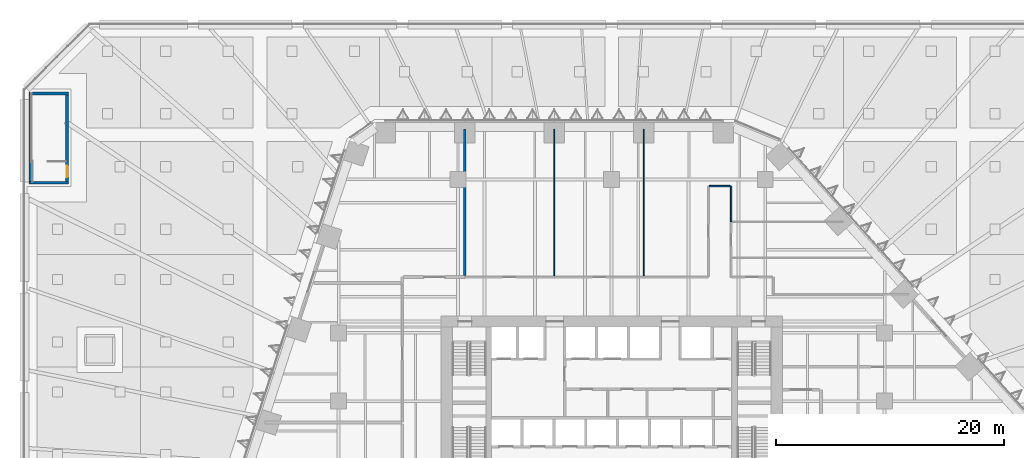
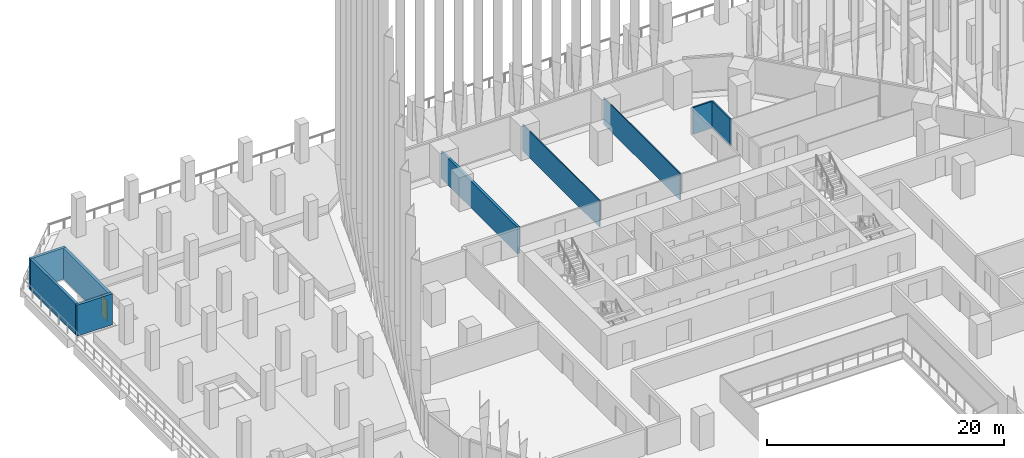
# One storey, part 28 of 51: 9 walls, 1 door, 1 opening.
"""IFC4 building model written with IfcOpenShell, lengths in metres."""

import ifcopenshell
import ifcopenshell.guid

model = None  # the IFC model being written
_history = None  # IfcOwnerHistory: only IFC2X3 demands one
_inside = {}  # id of a spatial element -> (the spatial element, [elements in it])
_under = {}  # id of a project, library or spatial element -> (it, [spatial elements below it])
_declared = {}  # id of a project -> (the project, [libraries it declares])
_typed = {}  # id of a type object -> (the type object, [elements of that type])
_made_of = {}  # id of a material, layer set ... -> (it, [elements and type objects made of it])


def new_model(schema):
    """Start an empty IFC model of exactly this schema.

    Asked for "IFC4X3", IfcOpenShell would pick the latest addendum, in which some entities
    have other attributes; the version numbers below select the first issue.
    IFC2X3 requires an IfcOwnerHistory on every rooted entity: one is made here for all.
    """
    global model, _history
    if schema == "IFC4X3":
        model = ifcopenshell.file(schema_version=(4, 3, 0, 0))
    else:
        model = ifcopenshell.file(schema=schema)
    _inside.clear()
    _under.clear()
    _declared.clear()
    _typed.clear()
    _made_of.clear()
    _history = None
    if model.schema == "IFC2X3":
        org = make("IfcOrganization", Name="unknown")
        user = make(
            "IfcPersonAndOrganization",
            ThePerson=make("IfcPerson", FamilyName="unknown"),
            TheOrganization=org,
        )
        app = make(
            "IfcApplication",
            ApplicationDeveloper=org,
            Version="unknown",
            ApplicationFullName="unknown",
            ApplicationIdentifier="unknown",
        )
        _history = make(
            "IfcOwnerHistory",
            OwningUser=user,
            OwningApplication=app,
            ChangeAction="ADDED",
            CreationDate=0,
        )
    return model


def make(cls, **values):
    """One entity of the class cls with the attributes given. An attribute that is None is left unset."""
    return model.create_entity(
        cls, **{name: value for name, value in values.items() if value is not None}
    )


def rooted(cls, **values):
    """An entity with a GlobalId (a new one), such as an element, a storey or a relation."""
    return make(cls, GlobalId=ifcopenshell.guid.new(), OwnerHistory=_history, **values)


def si_unit(unit_type, name, prefix=None):
    """IfcSIUnit, for example si_unit("LENGTHUNIT", "METRE", prefix="MILLI")."""
    return make("IfcSIUnit", UnitType=unit_type, Prefix=prefix, Name=name)


def assignment(units):
    """IfcUnitAssignment: the units of a project."""
    return None if units is None else make("IfcUnitAssignment", Units=units)


def point(xyz):
    """IfcCartesianPoint."""
    return None if xyz is None else make("IfcCartesianPoint", Coordinates=xyz)


def direction(xyz):
    """IfcDirection."""
    return None if xyz is None else make("IfcDirection", DirectionRatios=xyz)


def frame(location, z_axis=None, x_axis=None):
    """IfcAxis2Placement3D, a coordinate frame: its origin and axes. An axis left out is left unset."""
    return make(
        "IfcAxis2Placement3D",
        Location=point(location),
        Axis=direction(z_axis),
        RefDirection=direction(x_axis),
    )


def frame_2d(location, x_axis=None):
    """IfcAxis2Placement2D, a coordinate frame in the plane: its origin and x axis."""
    return make(
        "IfcAxis2Placement2D", Location=point(location), RefDirection=direction(x_axis)
    )


def origin():
    """The frame at (0, 0, 0) with its axes left unset."""
    return frame((0.0, 0.0, 0.0))


def place(relative_to, where):
    """IfcLocalPlacement: puts the frame where relative to a parent placement (None: the world)."""
    return make(
        "IfcLocalPlacement", PlacementRelTo=relative_to, RelativePlacement=where
    )


def context(
    kind, dimensions, precision=None, world=None, true_north=None, identifier=None
):
    """IfcGeometricRepresentationContext, for example the 3D "Model" context."""
    return make(
        "IfcGeometricRepresentationContext",
        ContextIdentifier=identifier,
        ContextType=kind,
        CoordinateSpaceDimension=dimensions,
        Precision=precision,
        WorldCoordinateSystem=world,
        TrueNorth=true_north,
    )


def subcontext(parent, identifier, kind, view, scale=None):
    """IfcGeometricRepresentationSubContext, for example "Body" below "Model"."""
    return make(
        "IfcGeometricRepresentationSubContext",
        ContextIdentifier=identifier,
        ContextType=kind,
        ParentContext=parent,
        TargetScale=scale,
        TargetView=view,
    )


def project(units=None, contexts=None):
    """IfcProject with its units and contexts."""
    return rooted(
        "IfcProject",
        Name="project",
        RepresentationContexts=contexts,
        UnitsInContext=assignment(units),
    )


def spatial(cls, under=None, at=None, **own):
    """A site, building, storey or space (cls), placed at a placement, below another one or the project."""
    s = rooted(cls, ObjectPlacement=at, **own)
    if under is not None:
        _under.setdefault(under.id(), (under, []))[1].append(s)
    return s


def profile(cls, at=None, kind="AREA", **sizes):
    """A parametric profile (cls). Its sizes go by their IFC names, for example OverallWidth=200.0."""
    return make(cls, ProfileType=kind, Position=at, **sizes)


def rectangle(**sizes):
    """IfcRectangleProfileDef."""
    return profile("IfcRectangleProfileDef", **sizes)


def extrude(swept, where, along, depth):
    """IfcExtrudedAreaSolid: the profile swept, set in the frame where, extruded along a direction by depth."""
    return make(
        "IfcExtrudedAreaSolid",
        SweptArea=swept,
        Position=where,
        ExtrudedDirection=direction(along),
        Depth=depth,
    )


def shape(context_of_items, identifier, shape_type, items):
    """IfcShapeRepresentation: the items that make up one representation, for example the "Body"."""
    return make(
        "IfcShapeRepresentation",
        ContextOfItems=context_of_items,
        RepresentationIdentifier=identifier,
        RepresentationType=shape_type,
        Items=items,
    )


def material(Name=None, Category=None):
    """IfcMaterial."""
    return make("IfcMaterial", Name=Name, Category=Category)


def layer(
    of_material, thickness, ventilated=None, Name=None, Category=None, Priority=None
):
    """IfcMaterialLayer: one layer of a wall or slab, of a material (None: an air gap)."""
    return make(
        "IfcMaterialLayer",
        Material=of_material,
        LayerThickness=thickness,
        IsVentilated=ventilated,
        Name=Name,
        Category=Category,
        Priority=Priority,
    )


def layer_set(layers, Name=None):
    """IfcMaterialLayerSet."""
    return make("IfcMaterialLayerSet", MaterialLayers=layers, LayerSetName=Name)


def made_of(thing, what):
    """Note that an element or type object is made of a material, layer set ...; save() writes the relation."""
    if what is not None:
        _made_of.setdefault(what.id(), (what, []))[1].append(thing)
    return thing


def type_object(cls, material=None, **own):
    """A type object (cls), such as IfcWallType, which elements share."""
    return made_of(rooted(cls, **own), material)


def element(
    cls,
    number,
    at=None,
    inside=None,
    cuts=None,
    type_object=None,
    material=None,
    context=None,
    identifier="Body",
    shape_type=None,
    held_by="IfcProductDefinitionShape",
    body=None,
    shapes=None,
    **own,
):
    """One element of the class cls, such as IfcWall. Its Tag is "e" and its number.

    at: its placement. inside: the storey or other place that contains it. cuts: it is an
    opening in that element (IfcRelVoidsElement). A single representation is given by context,
    identifier, shape_type and body (its items); several are given by shapes. held_by: the class
    of the entity that holds the representations. save() writes the other relations.
    """
    e = rooted(cls, Tag="e%d" % number, ObjectPlacement=at, **own)
    if body is not None:
        shapes = [shape(context, identifier, shape_type, body)]
    if shapes is not None:
        e.Representation = make(held_by, Representations=shapes)
    if inside is not None:
        _inside.setdefault(inside.id(), (inside, []))[1].append(e)
    if cuts is not None:
        rooted(
            "IfcRelVoidsElement", RelatingBuildingElement=cuts, RelatedOpeningElement=e
        )
    if type_object is not None:
        _typed.setdefault(type_object.id(), (type_object, []))[1].append(e)
    return made_of(e, material)


def fill(opening, filler):
    """IfcRelFillsElement: the door or window that sits in an opening."""
    return rooted(
        "IfcRelFillsElement",
        RelatingOpeningElement=opening,
        RelatedBuildingElement=filler,
    )


def aggregate(whole, parts):
    """IfcRelAggregates: a whole, such as a stair, and the parts it consists of."""
    return rooted("IfcRelAggregates", RelatingObject=whole, RelatedObjects=parts)


def save(model, path):
    """Write the relations noted so far, then the file.

    IfcRelAggregates (storeys below a building ...), IfcRelContainedInSpatialStructure (elements
    in a storey), IfcRelDefinesByType, IfcRelAssociatesMaterial and IfcRelDeclares: one each for
    every whole, place, type object, material and project.
    """
    for whole, parts in _under.values():
        aggregate(whole, parts)
    for where, things in _inside.values():
        rooted(
            "IfcRelContainedInSpatialStructure",
            RelatedElements=things,
            RelatingStructure=where,
        )
    for kind, things in _typed.values():
        rooted("IfcRelDefinesByType", RelatedObjects=things, RelatingType=kind)
    for what, things in _made_of.values():
        rooted("IfcRelAssociatesMaterial", RelatedObjects=things, RelatingMaterial=what)
    for by, libraries in _declared.values():
        rooted("IfcRelDeclares", RelatingContext=by, RelatedDefinitions=libraries)
    model.write(path)


model = new_model("IFC4")

# Units and contexts
model_context = context("Model", 3, precision=1e-05, world=origin(), true_north=direction((0.0, 1.0)))
body_context = subcontext(model_context, "Body", "Model", "MODEL_VIEW")
ifc_project = project(units=[si_unit("LENGTHUNIT", "METRE"), si_unit("AREAUNIT", "SQUARE_METRE"), si_unit("VOLUMEUNIT", "CUBIC_METRE"), si_unit("PLANEANGLEUNIT", "RADIAN"), si_unit("MASSUNIT", "GRAM", prefix="KILO")], contexts=[model_context])

# Site, building, storey
site_placement = place(None, origin())
site = spatial("IfcSite", under=ifc_project, at=site_placement, CompositionType="ELEMENT")
building_placement = place(site_placement, origin())
building = spatial("IfcBuilding", under=site, at=building_placement, Name="Isthmus Gate Tower", CompositionType="ELEMENT")
storey_placement = place(building_placement, frame((0.0, 0.0, 36.0)))
storey = spatial("IfcBuildingStorey", under=building, at=storey_placement, Name="L06", CompositionType="ELEMENT", Elevation=36.0)

# Walls
ifc_material_1 = material(Name="Double-leaf acoustic stud wall, fire-rated", Category="gypsum")
ifc_layer_1 = layer(ifc_material_1, 0.25)
ifc_layer_set_1 = layer_set([ifc_layer_1], Name="ACOUSTIC WALL 250 60 MIN")
wall_type_1 = type_object("IfcWallType", Name="ACOUSTIC WALL 250 60 MIN", PredefinedType="PARTITIONING", material=ifc_layer_set_1)
wall_1_placement = place(storey_placement, frame((-12.906982421875, 31.39990234375, 0.0), z_axis=(0.0, 0.0, 1.0), x_axis=(0.000151699027, -0.999999988494, 0.0)))
element("IfcWall", 1, at=wall_1_placement, inside=storey, type_object=wall_type_1, Name="L06 Acoustic Wall 250 60 Min", PredefinedType="PARTITIONING", context=body_context, shape_type="SweptSolid", body=[
    extrude(rectangle(XDim=12.875, YDim=0.25, at=frame_2d((6.4375, 0.0))), origin(), (0.0, 0.0, 1.0), 2.7412109375),
])
ifc_material_2 = material(Name="Gypsum board on steel studs, fire-rated", Category="steel")
ifc_layer_2 = layer(ifc_material_2, 0.14990234375)
ifc_layer_set_2 = layer_set([ifc_layer_2], Name="CORRIDOR WALL 150 60 MIN")
wall_type_2 = type_object("IfcWallType", Name="CORRIDOR WALL 150 60 MIN", PredefinedType="PARTITIONING", material=ifc_layer_set_2)
wall_2_placement = place(storey_placement, frame((10.5, 26.39990234375, 0.0), z_axis=(0.0, 0.0, 1.0), x_axis=(0.0, -1.0, 0.0)))
element("IfcWall", 2, at=wall_2_placement, inside=storey, type_object=wall_type_2, Name="L06 Corridor Wall 150 60 Min", PredefinedType="PARTITIONING", context=body_context, shape_type="SweptSolid", body=[
    extrude(rectangle(XDim=3.116943359375, YDim=0.14990234375, at=frame_2d((1.55859375, 0.0))), origin(), (0.0, 0.0, 1.0), 2.7412109375),
])
wall_3_placement = place(storey_placement, frame((8.574951171875, 26.39990234375, 0.0), z_axis=(0.0, 0.0, 1.0), x_axis=(1.0, 0.0, 0.0)))
element("IfcWall", 3, at=wall_3_placement, inside=storey, type_object=wall_type_2, Name="L06 Corridor Wall 150 60 Min", PredefinedType="PARTITIONING", context=body_context, shape_type="SweptSolid", body=[
    extrude(rectangle(XDim=1.85009765625, YDim=0.14990234375, at=frame_2d((0.925048828125, 0.0))), origin(), (0.0, 0.0, 1.0), 2.7412109375),
])
ifc_material_3 = material(Name="Gypsum board on steel studs, fire-rated", Category="steel")
ifc_layer_3 = layer(ifc_material_3, 0.10009765625)
ifc_layer_set_3 = layer_set([ifc_layer_3], Name="ROOM PARTITION 100 30 MIN")
wall_type_3 = type_object("IfcWallType", Name="ROOM PARTITION 100 30 MIN", PredefinedType="PARTITIONING", material=ifc_layer_set_3)
for number, where, z_axis, x_axis, name in (
    (4, (-5.037109375, 18.47509765625, 0.0), (0.0, 0.0, 1.0), (0.0, 1.0, 0.0), "L06 Room Partition 100 30 Min"),
    (5, (2.83203125, 18.47509765625, 0.0), (0.0, 0.0, 1.0), (0.0, 1.0, 0.0), "L06 Room Partition 100 30 Min"),
):
    element("IfcWall", number, at=place(storey_placement, frame(where, z_axis=z_axis, x_axis=x_axis)), inside=storey, type_object=wall_type_3, Name=name, PredefinedType="PARTITIONING", context=body_context, shape_type="SweptSolid", body=[
        extrude(rectangle(XDim=12.9248046875, YDim=0.10009765625, at=frame_2d((6.46240234375, 0.0))), origin(), (0.0, 0.0, 1.0), 2.7412109375),
    ])
ifc_material_4 = material(Name="Concrete f'c 40 MPa", Category="concrete")
ifc_layer_4 = layer(ifc_material_4, 0.25)
ifc_layer_set_4 = layer_set([ifc_layer_4])
wall_type_4 = type_object("IfcWallType", Name="Stair shaft wall 250 reinforced concrete", PredefinedType="SHEAR", material=ifc_layer_set_4)
for number, where, z_axis, x_axis, name in (
    (6, (-51.199951171875, 26.699951171875, 0.0), (0.0, 0.0, 1.0), (1.0, 0.0, 0.0), "Stair head-house wall"),
    (7, (-51.199951171875, 34.550048828125, 0.0), (0.0, 0.0, 1.0), (1.0, 0.0, 0.0), "Stair head-house wall"),
):
    element("IfcWall", number, at=place(storey_placement, frame(where, z_axis=z_axis, x_axis=x_axis)), inside=storey, type_object=wall_type_4, Name=name, PredefinedType="SHEAR", context=body_context, shape_type="SweptSolid", body=[
        extrude(rectangle(XDim=3.449951171875, YDim=0.25, at=frame_2d((1.72509765625, 0.0))), origin(), (0.0, 0.0, 1.0), 3.199951171875),
    ])
wall_4_placement = place(storey_placement, frame((-51.074951171875, 26.824951171875, 0.0), z_axis=(0.0, 0.0, 1.0), x_axis=(0.0, 1.0, 0.0)))
element("IfcWall", 8, at=wall_4_placement, inside=storey, type_object=wall_type_4, Name="Stair head-house wall", PredefinedType="SHEAR", context=body_context, shape_type="SweptSolid", body=[
    extrude(rectangle(XDim=7.60009765625, YDim=0.25, at=frame_2d((3.800048828125, 0.0))), origin(), (0.0, 0.0, 1.0), 3.199951171875),
])

# Wall, opening, door
wall_5_placement = place(storey_placement, frame((-47.875, 26.824951171875, 0.0), z_axis=(0.0, 0.0, 1.0), x_axis=(0.0, 1.0, 0.0)))
wall_5 = element("IfcWall", 9, at=wall_5_placement, inside=storey, type_object=wall_type_4, Name="Stair head-house wall", PredefinedType="SHEAR", context=body_context, shape_type="SweptSolid", body=[
    extrude(rectangle(XDim=7.60009765625, YDim=0.25, at=frame_2d((3.800048828125, 0.0))), origin(), (0.0, 0.0, 1.0), 3.199951171875),
])
opening_placement = place(wall_5_placement, frame((0.375, 0.0, 0.0)))
opening = element("IfcOpeningElement", 10, at=opening_placement, cuts=wall_5, Name="Opening DP06-61", PredefinedType="OPENING", context=body_context, shape_type="SweptSolid", body=[
    extrude(rectangle(XDim=1.0, YDim=2.10009765625, at=frame_2d((0.5, 1.050048828125))), frame((0.0, 0.135009765625, 0.0), z_axis=(0.0, -1.0, 0.0), x_axis=(1.0, 0.0, 0.0)), (0.0, 0.0, 1.0), 0.27001953125),
])
ifc_material_5 = material(Name="Steel fire door with intumescent seals", Category="steel")
door_type = type_object("IfcDoorType", Name="Fire door 1000 x 2100", OperationType="SINGLE_SWING_LEFT", PredefinedType="DOOR", material=ifc_material_5)
door_placement = place(opening_placement, origin())
door = element("IfcDoor", 11, at=door_placement, inside=storey, type_object=door_type, Name="Door DP06-61", OperationType="SINGLE_SWING_LEFT", OverallHeight=2.10009765625, OverallWidth=1.0, PredefinedType="DOOR", context=body_context, shape_type="SweptSolid", body=[
    extrude(rectangle(XDim=1.0, YDim=2.10009765625, at=frame_2d((0.5, 1.050048828125))), frame((0.0, 0.02490234375, 0.0), z_axis=(0.0, -1.0, 0.0), x_axis=(1.0, 0.0, 0.0)), (0.0, 0.0, 1.0), 0.050048828125),
])
fill(opening, door)

save(model, "model.ifc")
